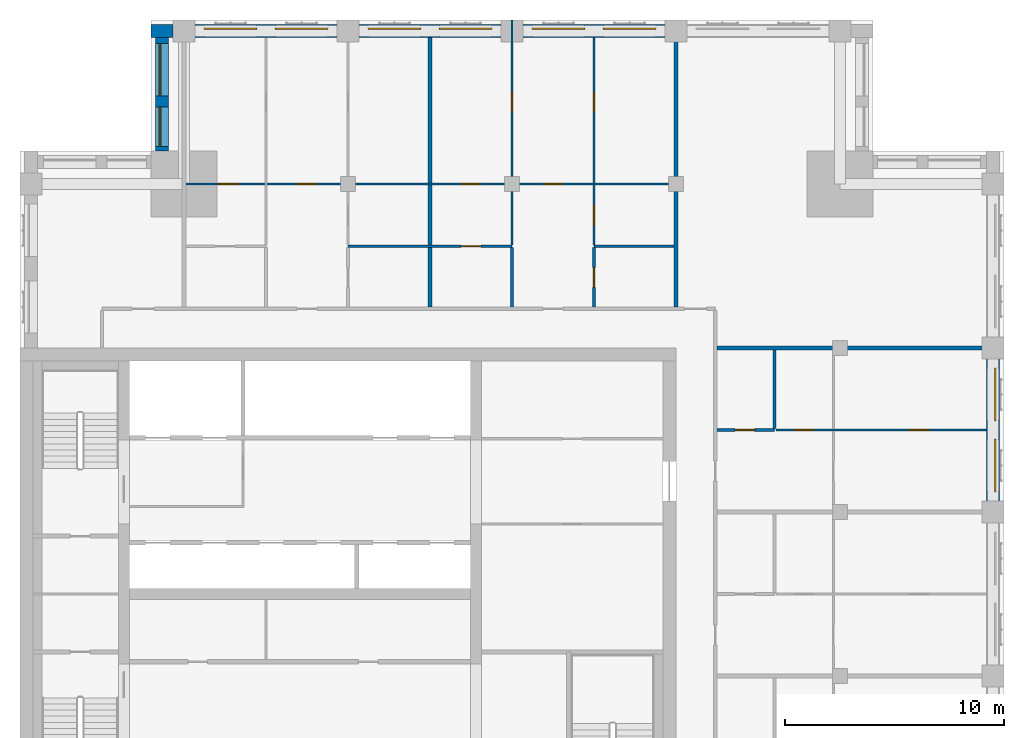
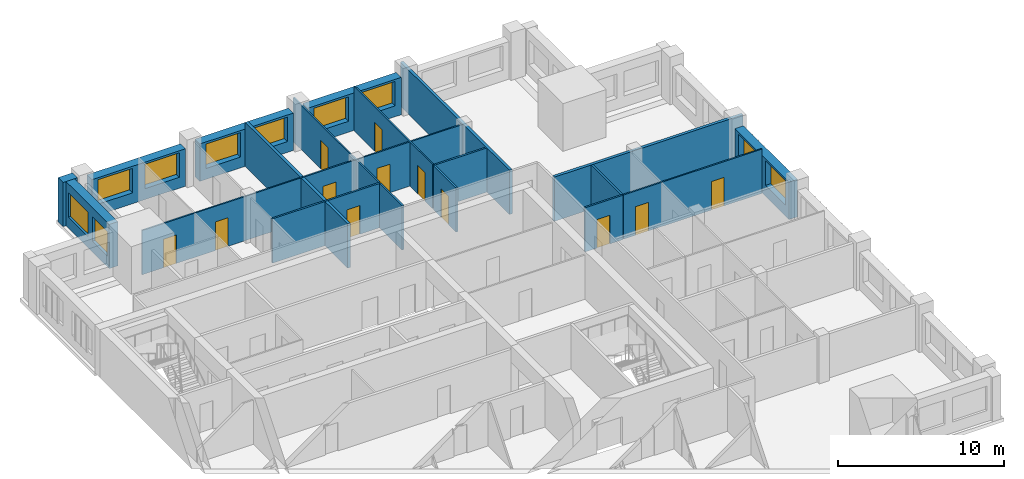
# One storey, part 7 of 10: 19 walls, 12 doors, 10 windows, 22 openings.
"""IFC4 building model written with IfcOpenShell, lengths in metres."""

from ifc_helpers import new_model, si_unit, direction, frame, frame_2d, origin, place, context, subcontext, project, spatial, rectangle, extrude, material, layer, layer_set, type_object, element, fill, save


model = new_model("IFC4")

# Units and contexts
model_context = context("Model", 3, precision=1e-05, world=origin(), true_north=direction((0.0, 1.0)))
body_context = subcontext(model_context, "Body", "Model", "MODEL_VIEW")
ifc_project = project(units=[si_unit("LENGTHUNIT", "METRE"), si_unit("AREAUNIT", "SQUARE_METRE"), si_unit("VOLUMEUNIT", "CUBIC_METRE"), si_unit("PLANEANGLEUNIT", "RADIAN"), si_unit("MASSUNIT", "GRAM", prefix="KILO")], contexts=[model_context])

# Site, building, storey
site_placement = place(None, origin())
site = spatial("IfcSite", under=ifc_project, at=site_placement, CompositionType="ELEMENT")
building_placement = place(site_placement, origin())
building = spatial("IfcBuilding", under=site, at=building_placement, Name="Tamorin Gate", CompositionType="ELEMENT")
storey_placement = place(building_placement, frame((0.0, 0.0, 276.699951171875)))
storey = spatial("IfcBuildingStorey", under=building, at=storey_placement, Name="L69", CompositionType="ELEMENT", Elevation=276.699951171875)

# Wall, openings, windows
ifc_material_1 = material(Name="Precast concrete C40/50", Category="concrete")
ifc_layer_1 = layer(ifc_material_1, 0.60009765625)
ifc_layer_set_1 = layer_set([ifc_layer_1], Name="Precast concrete C40/50")
wall_type_1 = type_object("IfcWallType", Name="Board-marked concrete facade panel 600", PredefinedType="SOLIDWALL", material=ifc_layer_set_1)
wall_1_placement = place(storey_placement, frame((74.5, 75.5, 0.0), z_axis=(0.0, 0.0, 1.0), x_axis=(0.0, 1.0, 0.0)))
wall_1 = element("IfcWall", 1, at=wall_1_placement, inside=storey, type_object=wall_type_1, Name="Facade panel", PredefinedType="SOLIDWALL", context=body_context, shape_type="SweptSolid", body=[
    extrude(rectangle(XDim=6.5, YDim=0.60009765625, at=frame_2d((3.25, 0.0))), origin(), (0.0, 0.0, 1.0), 2.75),
])
opening_1_placement = place(wall_1_placement, frame((0.425048828125, 0.0, 0.800048828125)))
opening_1 = element("IfcOpeningElement", 2, at=opening_1_placement, cuts=wall_1, Name="Opening WN1", PredefinedType="OPENING", context=body_context, shape_type="SweptSolid", body=[
    extrude(rectangle(XDim=2.39990234375, YDim=1.800048828125, at=frame_2d((1.199951171875, 0.89990234375))), frame((0.0, 0.31005859375, 0.0), z_axis=(0.0, -1.0, 0.0), x_axis=(1.0, 0.0, 0.0)), (0.0, 0.0, 1.0), 0.6201171875),
])
opening_2_placement = place(wall_1_placement, frame((3.675048828125, 0.0, 0.800048828125)))
opening_2 = element("IfcOpeningElement", 3, at=opening_2_placement, cuts=wall_1, Name="Opening WN1", PredefinedType="OPENING", context=body_context, shape_type="SweptSolid", body=[
    extrude(rectangle(XDim=2.39990234375, YDim=1.800048828125, at=frame_2d((1.199951171875, 0.89990234375))), frame((0.0, 0.31005859375, 0.0), z_axis=(0.0, -1.0, 0.0), x_axis=(1.0, 0.0, 0.0)), (0.0, 0.0, 1.0), 0.6201171875),
])
ifc_material_2 = material(Name="Clear glass in aluminium frame", Category="aluminium")
window_type_1 = type_object("IfcWindowType", Name="Deep-set window 2400x1800", PartitioningType="SINGLE_PANEL", PredefinedType="WINDOW", material=ifc_material_2)
window_1_placement = place(opening_1_placement, origin())
window_1 = element("IfcWindow", 4, at=window_1_placement, inside=storey, type_object=window_type_1, Name="Deep-set window", OverallHeight=1.800048828125, OverallWidth=2.39990234375, PartitioningType="SINGLE_PANEL", PredefinedType="WINDOW", context=body_context, shape_type="SweptSolid", body=[
    extrude(rectangle(XDim=2.39990234375, YDim=1.800048828125, at=frame_2d((1.199951171875, 0.89990234375))), frame((0.0, -0.070068359375, 0.0), z_axis=(0.0, -1.0, 0.0), x_axis=(1.0, 0.0, 0.0)), (0.0, 0.0, 1.0), 0.06005859375),
])
fill(opening_1, window_1)
window_2_placement = place(opening_2_placement, origin())
window_2 = element("IfcWindow", 5, at=window_2_placement, inside=storey, type_object=window_type_1, Name="Deep-set window", OverallHeight=1.800048828125, OverallWidth=2.39990234375, PartitioningType="SINGLE_PANEL", PredefinedType="WINDOW", context=body_context, shape_type="SweptSolid", body=[
    extrude(rectangle(XDim=2.39990234375, YDim=1.800048828125, at=frame_2d((1.199951171875, 0.89990234375))), frame((0.0, -0.070068359375, 0.0), z_axis=(0.0, -1.0, 0.0), x_axis=(1.0, 0.0, 0.0)), (0.0, 0.0, 1.0), 0.06005859375),
])
fill(opening_2, window_2)

wall_2_placement = place(storey_placement, frame((59.5, 97.0, 0.0), z_axis=(0.0, 0.0, 1.0), x_axis=(-1.0, 0.0, 0.0)))
wall_2 = element("IfcWall", 6, at=wall_2_placement, inside=storey, type_object=wall_type_1, Name="Facade panel", PredefinedType="SOLIDWALL", context=body_context, shape_type="SweptSolid", body=[
    extrude(rectangle(XDim=6.5, YDim=0.60009765625, at=frame_2d((3.25, 0.0))), origin(), (0.0, 0.0, 1.0), 2.75),
])
opening_3_placement = place(wall_2_placement, frame((3.675048828125, 0.0, 0.800048828125)))
opening_3 = element("IfcOpeningElement", 7, at=opening_3_placement, cuts=wall_2, Name="Opening WN1", PredefinedType="OPENING", context=body_context, shape_type="SweptSolid", body=[
    extrude(rectangle(XDim=2.39990234375, YDim=1.800048828125, at=frame_2d((1.199951171875, 0.89990234375))), frame((0.0, 0.31005859375, 0.0), z_axis=(0.0, -1.0, 0.0), x_axis=(1.0, 0.0, 0.0)), (0.0, 0.0, 1.0), 0.6201171875),
])
opening_4_placement = place(wall_2_placement, frame((0.425048828125, 0.0, 0.800048828125)))
opening_4 = element("IfcOpeningElement", 8, at=opening_4_placement, cuts=wall_2, Name="Opening WN1", PredefinedType="OPENING", context=body_context, shape_type="SweptSolid", body=[
    extrude(rectangle(XDim=2.39990234375, YDim=1.800048828125, at=frame_2d((1.199951171875, 0.89990234375))), frame((0.0, 0.31005859375, 0.0), z_axis=(0.0, -1.0, 0.0), x_axis=(1.0, 0.0, 0.0)), (0.0, 0.0, 1.0), 0.6201171875),
])
window_3_placement = place(opening_3_placement, origin())
window_3 = element("IfcWindow", 9, at=window_3_placement, inside=storey, type_object=window_type_1, Name="Deep-set window", OverallHeight=1.800048828125, OverallWidth=2.39990234375, PartitioningType="SINGLE_PANEL", PredefinedType="WINDOW", context=body_context, shape_type="SweptSolid", body=[
    extrude(rectangle(XDim=2.39990234375, YDim=1.800048828125, at=frame_2d((1.199951171875, 0.89990234375))), frame((0.0, -0.070068359375, 0.0), z_axis=(0.0, -1.0, 0.0), x_axis=(1.0, 0.0, 0.0)), (0.0, 0.0, 1.0), 0.06005859375),
])
fill(opening_3, window_3)
window_4_placement = place(opening_4_placement, origin())
window_4 = element("IfcWindow", 10, at=window_4_placement, inside=storey, type_object=window_type_1, Name="Deep-set window", OverallHeight=1.800048828125, OverallWidth=2.39990234375, PartitioningType="SINGLE_PANEL", PredefinedType="WINDOW", context=body_context, shape_type="SweptSolid", body=[
    extrude(rectangle(XDim=2.39990234375, YDim=1.800048828125, at=frame_2d((1.199951171875, 0.89990234375))), frame((0.0, -0.070068359375, 0.0), z_axis=(0.0, -1.0, 0.0), x_axis=(1.0, 0.0, 0.0)), (0.0, 0.0, 1.0), 0.06005859375),
])
fill(opening_4, window_4)

wall_3_placement = place(storey_placement, frame((52.0, 97.0, 0.0), z_axis=(0.0, 0.0, 1.0), x_axis=(-1.0, 0.0, 0.0)))
wall_3 = element("IfcWall", 11, at=wall_3_placement, inside=storey, type_object=wall_type_1, Name="Facade panel", PredefinedType="SOLIDWALL", context=body_context, shape_type="SweptSolid", body=[
    extrude(rectangle(XDim=6.5, YDim=0.60009765625, at=frame_2d((3.25, 0.0))), origin(), (0.0, 0.0, 1.0), 2.75),
])
opening_5_placement = place(wall_3_placement, frame((3.675048828125, 0.0, 0.800048828125)))
opening_5 = element("IfcOpeningElement", 12, at=opening_5_placement, cuts=wall_3, Name="Opening WN1", PredefinedType="OPENING", context=body_context, shape_type="SweptSolid", body=[
    extrude(rectangle(XDim=2.39990234375, YDim=1.800048828125, at=frame_2d((1.199951171875, 0.89990234375))), frame((0.0, 0.31005859375, 0.0), z_axis=(0.0, -1.0, 0.0), x_axis=(1.0, 0.0, 0.0)), (0.0, 0.0, 1.0), 0.6201171875),
])
opening_6_placement = place(wall_3_placement, frame((0.425048828125, 0.0, 0.800048828125)))
opening_6 = element("IfcOpeningElement", 13, at=opening_6_placement, cuts=wall_3, Name="Opening WN1", PredefinedType="OPENING", context=body_context, shape_type="SweptSolid", body=[
    extrude(rectangle(XDim=2.39990234375, YDim=1.800048828125, at=frame_2d((1.199951171875, 0.89990234375))), frame((0.0, 0.31005859375, 0.0), z_axis=(0.0, -1.0, 0.0), x_axis=(1.0, 0.0, 0.0)), (0.0, 0.0, 1.0), 0.6201171875),
])
window_5_placement = place(opening_5_placement, origin())
window_5 = element("IfcWindow", 14, at=window_5_placement, inside=storey, type_object=window_type_1, Name="Deep-set window", OverallHeight=1.800048828125, OverallWidth=2.39990234375, PartitioningType="SINGLE_PANEL", PredefinedType="WINDOW", context=body_context, shape_type="SweptSolid", body=[
    extrude(rectangle(XDim=2.39990234375, YDim=1.800048828125, at=frame_2d((1.199951171875, 0.89990234375))), frame((0.0, -0.070068359375, 0.0), z_axis=(0.0, -1.0, 0.0), x_axis=(1.0, 0.0, 0.0)), (0.0, 0.0, 1.0), 0.06005859375),
])
fill(opening_5, window_5)
window_6_placement = place(opening_6_placement, origin())
window_6 = element("IfcWindow", 15, at=window_6_placement, inside=storey, type_object=window_type_1, Name="Deep-set window", OverallHeight=1.800048828125, OverallWidth=2.39990234375, PartitioningType="SINGLE_PANEL", PredefinedType="WINDOW", context=body_context, shape_type="SweptSolid", body=[
    extrude(rectangle(XDim=2.39990234375, YDim=1.800048828125, at=frame_2d((1.199951171875, 0.89990234375))), frame((0.0, -0.070068359375, 0.0), z_axis=(0.0, -1.0, 0.0), x_axis=(1.0, 0.0, 0.0)), (0.0, 0.0, 1.0), 0.06005859375),
])
fill(opening_6, window_6)

wall_4_placement = place(storey_placement, frame((44.5, 97.0, 0.0), z_axis=(0.0, 0.0, 1.0), x_axis=(-1.0, 0.0, 0.0)))
wall_4 = element("IfcWall", 16, at=wall_4_placement, inside=storey, type_object=wall_type_1, Name="Facade panel", PredefinedType="SOLIDWALL", context=body_context, shape_type="SweptSolid", body=[
    extrude(rectangle(XDim=6.5, YDim=0.60009765625, at=frame_2d((3.25, 0.0))), origin(), (0.0, 0.0, 1.0), 2.75),
])
opening_7_placement = place(wall_4_placement, frame((3.675048828125, 0.0, 0.800048828125)))
opening_7 = element("IfcOpeningElement", 17, at=opening_7_placement, cuts=wall_4, Name="Opening WN1", PredefinedType="OPENING", context=body_context, shape_type="SweptSolid", body=[
    extrude(rectangle(XDim=2.39990234375, YDim=1.800048828125, at=frame_2d((1.199951171875, 0.89990234375))), frame((0.0, 0.31005859375, 0.0), z_axis=(0.0, -1.0, 0.0), x_axis=(1.0, 0.0, 0.0)), (0.0, 0.0, 1.0), 0.6201171875),
])
opening_8_placement = place(wall_4_placement, frame((0.425048828125, 0.0, 0.800048828125)))
opening_8 = element("IfcOpeningElement", 18, at=opening_8_placement, cuts=wall_4, Name="Opening WN1", PredefinedType="OPENING", context=body_context, shape_type="SweptSolid", body=[
    extrude(rectangle(XDim=2.39990234375, YDim=1.800048828125, at=frame_2d((1.199951171875, 0.89990234375))), frame((0.0, 0.31005859375, 0.0), z_axis=(0.0, -1.0, 0.0), x_axis=(1.0, 0.0, 0.0)), (0.0, 0.0, 1.0), 0.6201171875),
])
window_7_placement = place(opening_7_placement, origin())
window_7 = element("IfcWindow", 19, at=window_7_placement, inside=storey, type_object=window_type_1, Name="Deep-set window", OverallHeight=1.800048828125, OverallWidth=2.39990234375, PartitioningType="SINGLE_PANEL", PredefinedType="WINDOW", context=body_context, shape_type="SweptSolid", body=[
    extrude(rectangle(XDim=2.39990234375, YDim=1.800048828125, at=frame_2d((1.199951171875, 0.89990234375))), frame((0.0, -0.070068359375, 0.0), z_axis=(0.0, -1.0, 0.0), x_axis=(1.0, 0.0, 0.0)), (0.0, 0.0, 1.0), 0.06005859375),
])
fill(opening_7, window_7)
window_8_placement = place(opening_8_placement, origin())
window_8 = element("IfcWindow", 20, at=window_8_placement, inside=storey, type_object=window_type_1, Name="Deep-set window", OverallHeight=1.800048828125, OverallWidth=2.39990234375, PartitioningType="SINGLE_PANEL", PredefinedType="WINDOW", context=body_context, shape_type="SweptSolid", body=[
    extrude(rectangle(XDim=2.39990234375, YDim=1.800048828125, at=frame_2d((1.199951171875, 0.89990234375))), frame((0.0, -0.070068359375, 0.0), z_axis=(0.0, -1.0, 0.0), x_axis=(1.0, 0.0, 0.0)), (0.0, 0.0, 1.0), 0.06005859375),
])
fill(opening_8, window_8)

# Wall
wall_5_placement = place(storey_placement, frame((37.0, 97.0, 0.0), z_axis=(0.0, 0.0, 1.0), x_axis=(-1.0, 0.0, 0.0)))
element("IfcWall", 21, at=wall_5_placement, inside=storey, type_object=wall_type_1, Name="Facade panel", PredefinedType="SOLIDWALL", context=body_context, shape_type="SweptSolid", body=[
    extrude(rectangle(XDim=1.0, YDim=0.60009765625, at=frame_2d((0.5, 0.0))), origin(), (0.0, 0.0, 1.0), 3.25),
])

# Wall, openings, windows
wall_6_placement = place(storey_placement, frame((36.5, 96.699951171875, 0.0), z_axis=(0.0, 0.0, 1.0), x_axis=(0.0, -1.0, 0.0)))
wall_6 = element("IfcWall", 22, at=wall_6_placement, inside=storey, type_object=wall_type_1, Name="Facade panel", PredefinedType="SOLIDWALL", context=body_context, shape_type="SweptSolid", body=[
    extrude(rectangle(XDim=5.199951171875, YDim=0.60009765625, at=frame_2d((2.60009765625, 0.0))), origin(), (0.0, 0.0, 1.0), 3.25),
])
opening_9_placement = place(wall_6_placement, frame((3.175048828125, 0.0, 0.800048828125)))
opening_9 = element("IfcOpeningElement", 23, at=opening_9_placement, cuts=wall_6, Name="Opening WN2", PredefinedType="OPENING", context=body_context, shape_type="SweptSolid", body=[
    extrude(rectangle(XDim=1.800048828125, YDim=1.800048828125, at=frame_2d((0.89990234375, 0.89990234375))), frame((0.0, 0.31005859375, 0.0), z_axis=(0.0, -1.0, 0.0), x_axis=(1.0, 0.0, 0.0)), (0.0, 0.0, 1.0), 0.6201171875),
])
opening_10_placement = place(wall_6_placement, frame((0.27490234375, 0.0, 0.800048828125)))
opening_10 = element("IfcOpeningElement", 24, at=opening_10_placement, cuts=wall_6, Name="Opening WN1", PredefinedType="OPENING", context=body_context, shape_type="SweptSolid", body=[
    extrude(rectangle(XDim=2.39990234375, YDim=1.800048828125, at=frame_2d((1.199951171875, 0.89990234375))), frame((0.0, 0.31005859375, 0.0), z_axis=(0.0, -1.0, 0.0), x_axis=(1.0, 0.0, 0.0)), (0.0, 0.0, 1.0), 0.6201171875),
])
window_type_2 = type_object("IfcWindowType", Name="Deep-set window 1800x1800", PartitioningType="SINGLE_PANEL", PredefinedType="WINDOW", material=ifc_material_2)
window_9_placement = place(opening_9_placement, origin())
window_9 = element("IfcWindow", 25, at=window_9_placement, inside=storey, type_object=window_type_2, Name="Deep-set window", OverallHeight=1.800048828125, OverallWidth=1.800048828125, PartitioningType="SINGLE_PANEL", PredefinedType="WINDOW", context=body_context, shape_type="SweptSolid", body=[
    extrude(rectangle(XDim=1.800048828125, YDim=1.800048828125, at=frame_2d((0.89990234375, 0.89990234375))), frame((0.0, -0.070068359375, 0.0), z_axis=(0.0, -1.0, 0.0), x_axis=(1.0, 0.0, 0.0)), (0.0, 0.0, 1.0), 0.06005859375),
])
fill(opening_9, window_9)
window_10_placement = place(opening_10_placement, origin())
window_10 = element("IfcWindow", 26, at=window_10_placement, inside=storey, type_object=window_type_1, Name="Deep-set window", OverallHeight=1.800048828125, OverallWidth=2.39990234375, PartitioningType="SINGLE_PANEL", PredefinedType="WINDOW", context=body_context, shape_type="SweptSolid", body=[
    extrude(rectangle(XDim=2.39990234375, YDim=1.800048828125, at=frame_2d((1.199951171875, 0.89990234375))), frame((0.0, -0.070068359375, 0.0), z_axis=(0.0, -1.0, 0.0), x_axis=(1.0, 0.0, 0.0)), (0.0, 0.0, 1.0), 0.06005859375),
])
fill(opening_10, window_10)

# Walls
ifc_material_3 = material(Name="Gypsum board partition")
ifc_layer_2 = layer(ifc_material_3, 0.199951171875)
ifc_layer_set_2 = layer_set([ifc_layer_2], Name="Demising wall 200")
wall_type_2 = type_object("IfcWallType", Name="Demising wall 200", PredefinedType="PARTITIONING", material=ifc_layer_set_2)
wall_7_placement = place(storey_placement, frame((61.875, 82.5, 0.0), z_axis=(0.0, 0.0, 1.0), x_axis=(1.0, 0.0, 0.0)))
element("IfcWall", 27, at=wall_7_placement, inside=storey, type_object=wall_type_2, Name="Demising wall 200", PredefinedType="PARTITIONING", context=body_context, shape_type="SweptSolid", body=[
    extrude(rectangle(XDim=13.125, YDim=0.199951171875, at=frame_2d((6.5625, 0.0))), origin(), (0.0, 0.0, 1.0), 3.25),
])
wall_8_placement = place(storey_placement, frame((48.75, 84.375, 0.0), z_axis=(0.0, 0.0, 1.0), x_axis=(0.0, 1.0, 0.0)))
element("IfcWall", 28, at=wall_8_placement, inside=storey, type_object=wall_type_2, Name="Demising wall 200", PredefinedType="PARTITIONING", context=body_context, shape_type="SweptSolid", body=[
    extrude(rectangle(XDim=12.31494140625, YDim=0.199951171875, at=frame_2d((6.157470703125, 0.0))), origin(), (0.0, 0.0, 1.0), 3.25),
])
wall_9_placement = place(storey_placement, frame((60.0, 84.375, 0.0), z_axis=(0.0, 0.0, 1.0), x_axis=(0.0, 1.0, 0.0)))
element("IfcWall", 29, at=wall_9_placement, inside=storey, type_object=wall_type_2, Name="Demising wall 200", PredefinedType="PARTITIONING", context=body_context, shape_type="SweptSolid", body=[
    extrude(rectangle(XDim=13.125, YDim=0.199951171875, at=frame_2d((6.5625, 0.0))), origin(), (0.0, 0.0, 1.0), 3.25),
])

# Wall, openings, doors
ifc_layer_3 = layer(ifc_material_3, 0.10009765625)
ifc_layer_set_3 = layer_set([ifc_layer_3], Name="Room partition 100")
wall_type_3 = type_object("IfcWallType", Name="Room partition 100", PredefinedType="PARTITIONING", material=ifc_layer_set_3)
wall_10_placement = place(storey_placement, frame((64.5625, 78.75, 0.0), z_axis=(0.0, 0.0, 1.0), x_axis=(1.0, 0.0, 0.0)))
wall_10 = element("IfcWall", 30, at=wall_10_placement, inside=storey, type_object=wall_type_3, Name="Room partition 100", PredefinedType="PARTITIONING", context=body_context, shape_type="SweptSolid", body=[
    extrude(rectangle(XDim=9.62744140625, YDim=0.10009765625, at=frame_2d((4.813720703125, 0.0))), origin(), (0.0, 0.0, 1.0), 3.25),
])
opening_11_placement = place(wall_10_placement, frame((0.83740234375, 0.0, 0.0)))
opening_11 = element("IfcOpeningElement", 31, at=opening_11_placement, cuts=wall_10, Name="Opening DR11046", PredefinedType="OPENING", context=body_context, shape_type="SweptSolid", body=[
    extrude(rectangle(XDim=0.89990234375, YDim=2.10009765625, at=frame_2d((0.449951171875, 1.050048828125))), frame((0.0, 0.06005859375, 0.0), z_axis=(0.0, -1.0, 0.0), x_axis=(1.0, 0.0, 0.0)), (0.0, 0.0, 1.0), 0.1201171875),
])
opening_12_placement = place(wall_10_placement, frame((6.08740234375, 0.0, 0.0)))
opening_12 = element("IfcOpeningElement", 32, at=opening_12_placement, cuts=wall_10, Name="Opening DR11048", PredefinedType="OPENING", context=body_context, shape_type="SweptSolid", body=[
    extrude(rectangle(XDim=0.89990234375, YDim=2.10009765625, at=frame_2d((0.449951171875, 1.050048828125))), frame((0.0, 0.06005859375, 0.0), z_axis=(0.0, -1.0, 0.0), x_axis=(1.0, 0.0, 0.0)), (0.0, 0.0, 1.0), 0.1201171875),
])
ifc_material_4 = material(Name="Timber door leaf", Category="wood")
door_type = type_object("IfcDoorType", Name="Door 900 x 2100", OperationType="NOTDEFINED", PredefinedType="DOOR", material=ifc_material_4)
door_1_placement = place(opening_11_placement, origin())
door_1 = element("IfcDoor", 33, at=door_1_placement, inside=storey, type_object=door_type, Name="Door DR11046", OperationType="SINGLE_SWING_LEFT", OverallHeight=2.10009765625, OverallWidth=0.89990234375, PredefinedType="DOOR", context=body_context, shape_type="SweptSolid", body=[
    extrude(rectangle(XDim=0.89990234375, YDim=2.10009765625, at=frame_2d((0.449951171875, 1.050048828125))), frame((0.0, 0.02490234375, 0.0), z_axis=(0.0, -1.0, 0.0), x_axis=(1.0, 0.0, 0.0)), (0.0, 0.0, 1.0), 0.050048828125),
])
fill(opening_11, door_1)
door_2_placement = place(opening_12_placement, origin())
door_2 = element("IfcDoor", 34, at=door_2_placement, inside=storey, type_object=door_type, Name="Door DR11048", OperationType="SINGLE_SWING_RIGHT", OverallHeight=2.10009765625, OverallWidth=0.89990234375, PredefinedType="DOOR", context=body_context, shape_type="SweptSolid", body=[
    extrude(rectangle(XDim=0.89990234375, YDim=2.10009765625, at=frame_2d((0.449951171875, 1.050048828125))), frame((0.0, 0.02490234375, 0.0), z_axis=(0.0, -1.0, 0.0), x_axis=(1.0, 0.0, 0.0)), (0.0, 0.0, 1.0), 0.050048828125),
])
fill(opening_12, door_2)

wall_11_placement = place(storey_placement, frame((37.60009765625, 90.0, 0.0), z_axis=(0.0, 0.0, 1.0), x_axis=(1.0, 0.0, 0.0)))
wall_11 = element("IfcWall", 35, at=wall_11_placement, inside=storey, type_object=wall_type_3, Name="Room partition 100", PredefinedType="PARTITIONING", context=body_context, shape_type="SweptSolid", body=[
    extrude(rectangle(XDim=22.2998046875, YDim=0.10009765625, at=frame_2d((11.14990234375, 0.0))), origin(), (0.0, 0.0, 1.0), 3.25),
])
opening_13_placement = place(wall_11_placement, frame((1.47509765625, 0.0, 0.0)))
opening_13 = element("IfcOpeningElement", 36, at=opening_13_placement, cuts=wall_11, Name="Opening DR11018", PredefinedType="OPENING", context=body_context, shape_type="SweptSolid", body=[
    extrude(rectangle(XDim=0.89990234375, YDim=2.10009765625, at=frame_2d((0.449951171875, 1.050048828125))), frame((0.0, 0.06005859375, 0.0), z_axis=(0.0, -1.0, 0.0), x_axis=(1.0, 0.0, 0.0)), (0.0, 0.0, 1.0), 0.1201171875),
])
opening_14_placement = place(wall_11_placement, frame((5.074951171875, 0.0, 0.0)))
opening_14 = element("IfcOpeningElement", 37, at=opening_14_placement, cuts=wall_11, Name="Opening DR11021", PredefinedType="OPENING", context=body_context, shape_type="SweptSolid", body=[
    extrude(rectangle(XDim=0.89990234375, YDim=2.10009765625, at=frame_2d((0.449951171875, 1.050048828125))), frame((0.0, 0.06005859375, 0.0), z_axis=(0.0, -1.0, 0.0), x_axis=(1.0, 0.0, 0.0)), (0.0, 0.0, 1.0), 0.1201171875),
])
opening_15_placement = place(wall_11_placement, frame((12.574951171875, 0.0, 0.0)))
opening_15 = element("IfcOpeningElement", 38, at=opening_15_placement, cuts=wall_11, Name="Opening DR11026", PredefinedType="OPENING", context=body_context, shape_type="SweptSolid", body=[
    extrude(rectangle(XDim=0.89990234375, YDim=2.10009765625, at=frame_2d((0.449951171875, 1.050048828125))), frame((0.0, 0.06005859375, 0.0), z_axis=(0.0, -1.0, 0.0), x_axis=(1.0, 0.0, 0.0)), (0.0, 0.0, 1.0), 0.1201171875),
])
opening_16_placement = place(wall_11_placement, frame((16.324951171875, 0.0, 0.0)))
opening_16 = element("IfcOpeningElement", 39, at=opening_16_placement, cuts=wall_11, Name="Opening DR11029", PredefinedType="OPENING", context=body_context, shape_type="SweptSolid", body=[
    extrude(rectangle(XDim=0.89990234375, YDim=2.10009765625, at=frame_2d((0.449951171875, 1.050048828125))), frame((0.0, 0.06005859375, 0.0), z_axis=(0.0, -1.0, 0.0), x_axis=(1.0, 0.0, 0.0)), (0.0, 0.0, 1.0), 0.1201171875),
])
door_3_placement = place(opening_13_placement, origin())
door_3 = element("IfcDoor", 40, at=door_3_placement, inside=storey, type_object=door_type, Name="Door DR11018", OperationType="SINGLE_SWING_LEFT", OverallHeight=2.10009765625, OverallWidth=0.89990234375, PredefinedType="DOOR", context=body_context, shape_type="SweptSolid", body=[
    extrude(rectangle(XDim=0.89990234375, YDim=2.10009765625, at=frame_2d((0.449951171875, 1.050048828125))), frame((0.0, 0.02490234375, 0.0), z_axis=(0.0, -1.0, 0.0), x_axis=(1.0, 0.0, 0.0)), (0.0, 0.0, 1.0), 0.050048828125),
])
fill(opening_13, door_3)
door_4_placement = place(opening_14_placement, origin())
door_4 = element("IfcDoor", 41, at=door_4_placement, inside=storey, type_object=door_type, Name="Door DR11021", OperationType="SINGLE_SWING_RIGHT", OverallHeight=2.10009765625, OverallWidth=0.89990234375, PredefinedType="DOOR", context=body_context, shape_type="SweptSolid", body=[
    extrude(rectangle(XDim=0.89990234375, YDim=2.10009765625, at=frame_2d((0.449951171875, 1.050048828125))), frame((0.0, 0.02490234375, 0.0), z_axis=(0.0, -1.0, 0.0), x_axis=(1.0, 0.0, 0.0)), (0.0, 0.0, 1.0), 0.050048828125),
])
fill(opening_14, door_4)
door_5_placement = place(opening_15_placement, origin())
door_5 = element("IfcDoor", 42, at=door_5_placement, inside=storey, type_object=door_type, Name="Door DR11026", OperationType="SINGLE_SWING_RIGHT", OverallHeight=2.10009765625, OverallWidth=0.89990234375, PredefinedType="DOOR", context=body_context, shape_type="SweptSolid", body=[
    extrude(rectangle(XDim=0.89990234375, YDim=2.10009765625, at=frame_2d((0.449951171875, 1.050048828125))), frame((0.0, 0.02490234375, 0.0), z_axis=(0.0, -1.0, 0.0), x_axis=(1.0, 0.0, 0.0)), (0.0, 0.0, 1.0), 0.050048828125),
])
fill(opening_15, door_5)
door_6_placement = place(opening_16_placement, origin())
door_6 = element("IfcDoor", 43, at=door_6_placement, inside=storey, type_object=door_type, Name="Door DR11029", OperationType="SINGLE_SWING_RIGHT", OverallHeight=2.10009765625, OverallWidth=0.89990234375, PredefinedType="DOOR", context=body_context, shape_type="SweptSolid", body=[
    extrude(rectangle(XDim=0.89990234375, YDim=2.10009765625, at=frame_2d((0.449951171875, 1.050048828125))), frame((0.0, 0.02490234375, 0.0), z_axis=(0.0, -1.0, 0.0), x_axis=(1.0, 0.0, 0.0)), (0.0, 0.0, 1.0), 0.050048828125),
])
fill(opening_16, door_6)

# Wall, opening, door
wall_12_placement = place(storey_placement, frame((52.5, 87.21240234375, 0.0), z_axis=(0.0, 0.0, 1.0), x_axis=(0.0, 1.0, 0.0)))
wall_12 = element("IfcWall", 44, at=wall_12_placement, inside=storey, type_object=wall_type_3, Name="Room partition 100", PredefinedType="PARTITIONING", context=body_context, shape_type="SweptSolid", body=[
    extrude(rectangle(XDim=10.28759765625, YDim=0.10009765625, at=frame_2d((5.143798828125, 0.0))), origin(), (0.0, 0.0, 1.0), 3.25),
])
opening_17_placement = place(wall_12_placement, frame((6.08740234375, 0.0, 0.0)))
opening_17 = element("IfcOpeningElement", 45, at=opening_17_placement, cuts=wall_12, Name="Opening DR11032", PredefinedType="OPENING", context=body_context, shape_type="SweptSolid", body=[
    extrude(rectangle(XDim=0.89990234375, YDim=2.10009765625, at=frame_2d((0.449951171875, 1.050048828125))), frame((0.0, 0.06005859375, 0.0), z_axis=(0.0, -1.0, 0.0), x_axis=(1.0, 0.0, 0.0)), (0.0, 0.0, 1.0), 0.1201171875),
])
door_7_placement = place(opening_17_placement, origin())
door_7 = element("IfcDoor", 46, at=door_7_placement, inside=storey, type_object=door_type, Name="Door DR11032", OperationType="SINGLE_SWING_LEFT", OverallHeight=2.10009765625, OverallWidth=0.89990234375, PredefinedType="DOOR", context=body_context, shape_type="SweptSolid", body=[
    extrude(rectangle(XDim=0.89990234375, YDim=2.10009765625, at=frame_2d((0.449951171875, 1.050048828125))), frame((0.0, 0.02490234375, 0.0), z_axis=(0.0, -1.0, 0.0), x_axis=(1.0, 0.0, 0.0)), (0.0, 0.0, 1.0), 0.050048828125),
])
fill(opening_17, door_7)

# Wall, openings, doors
wall_13_placement = place(storey_placement, frame((56.25, 87.21240234375, 0.0), z_axis=(0.0, 0.0, 1.0), x_axis=(0.0, 1.0, 0.0)))
wall_13 = element("IfcWall", 47, at=wall_13_placement, inside=storey, type_object=wall_type_3, Name="Room partition 100", PredefinedType="PARTITIONING", context=body_context, shape_type="SweptSolid", body=[
    extrude(rectangle(XDim=9.4775390625, YDim=0.10009765625, at=frame_2d((4.73876953125, 0.0))), origin(), (0.0, 0.0, 1.0), 3.25),
])
opening_18_placement = place(wall_13_placement, frame((0.91259765625, 0.0, 0.0)))
opening_18 = element("IfcOpeningElement", 48, at=opening_18_placement, cuts=wall_13, Name="Opening DR11030", PredefinedType="OPENING", context=body_context, shape_type="SweptSolid", body=[
    extrude(rectangle(XDim=0.89990234375, YDim=2.10009765625, at=frame_2d((0.449951171875, 1.050048828125))), frame((0.0, 0.06005859375, 0.0), z_axis=(0.0, -1.0, 0.0), x_axis=(1.0, 0.0, 0.0)), (0.0, 0.0, 1.0), 0.1201171875),
])
opening_19_placement = place(wall_13_placement, frame((6.08740234375, 0.0, 0.0)))
opening_19 = element("IfcOpeningElement", 49, at=opening_19_placement, cuts=wall_13, Name="Opening DR11033", PredefinedType="OPENING", context=body_context, shape_type="SweptSolid", body=[
    extrude(rectangle(XDim=0.89990234375, YDim=2.10009765625, at=frame_2d((0.449951171875, 1.050048828125))), frame((0.0, 0.06005859375, 0.0), z_axis=(0.0, -1.0, 0.0), x_axis=(1.0, 0.0, 0.0)), (0.0, 0.0, 1.0), 0.1201171875),
])
door_8_placement = place(opening_18_placement, origin())
door_8 = element("IfcDoor", 50, at=door_8_placement, inside=storey, type_object=door_type, Name="Door DR11030", OperationType="SINGLE_SWING_LEFT", OverallHeight=2.10009765625, OverallWidth=0.89990234375, PredefinedType="DOOR", context=body_context, shape_type="SweptSolid", body=[
    extrude(rectangle(XDim=0.89990234375, YDim=2.10009765625, at=frame_2d((0.449951171875, 1.050048828125))), frame((0.0, 0.02490234375, 0.0), z_axis=(0.0, -1.0, 0.0), x_axis=(1.0, 0.0, 0.0)), (0.0, 0.0, 1.0), 0.050048828125),
])
fill(opening_18, door_8)
door_9_placement = place(opening_19_placement, origin())
door_9 = element("IfcDoor", 51, at=door_9_placement, inside=storey, type_object=door_type, Name="Door DR11033", OperationType="SINGLE_SWING_LEFT", OverallHeight=2.10009765625, OverallWidth=0.89990234375, PredefinedType="DOOR", context=body_context, shape_type="SweptSolid", body=[
    extrude(rectangle(XDim=0.89990234375, YDim=2.10009765625, at=frame_2d((0.449951171875, 1.050048828125))), frame((0.0, 0.02490234375, 0.0), z_axis=(0.0, -1.0, 0.0), x_axis=(1.0, 0.0, 0.0)), (0.0, 0.0, 1.0), 0.050048828125),
])
fill(opening_19, door_9)

# Wall, opening, door
ifc_layer_4 = layer(ifc_material_3, 0.125)
ifc_layer_set_4 = layer_set([ifc_layer_4], Name="Wet wall 125")
wall_type_4 = type_object("IfcWallType", Name="Wet wall 125", PredefinedType="PARTITIONING", material=ifc_layer_set_4)
wall_14_placement = place(storey_placement, frame((61.875, 78.75, 0.0), z_axis=(0.0, 0.0, 1.0), x_axis=(1.0, 0.0, 0.0)))
wall_14 = element("IfcWall", 52, at=wall_14_placement, inside=storey, type_object=wall_type_4, Name="Wet wall 125", PredefinedType="PARTITIONING", context=body_context, shape_type="SweptSolid", body=[
    extrude(rectangle(XDim=2.625, YDim=0.125, at=frame_2d((1.3125, 0.0))), origin(), (0.0, 0.0, 1.0), 3.25),
])
opening_20_placement = place(wall_14_placement, frame((0.824951171875, 0.0, 0.0)))
opening_20 = element("IfcOpeningElement", 53, at=opening_20_placement, cuts=wall_14, Name="Opening DR11047", PredefinedType="OPENING", context=body_context, shape_type="SweptSolid", body=[
    extrude(rectangle(XDim=0.89990234375, YDim=2.10009765625, at=frame_2d((0.449951171875, 1.050048828125))), frame((0.0, 0.072509765625, 0.0), z_axis=(0.0, -1.0, 0.0), x_axis=(1.0, 0.0, 0.0)), (0.0, 0.0, 1.0), 0.14501953125),
])
door_10_placement = place(opening_20_placement, origin())
door_10 = element("IfcDoor", 54, at=door_10_placement, inside=storey, type_object=door_type, Name="Door DR11047", OperationType="SINGLE_SWING_LEFT", OverallHeight=2.10009765625, OverallWidth=0.89990234375, PredefinedType="DOOR", context=body_context, shape_type="SweptSolid", body=[
    extrude(rectangle(XDim=0.89990234375, YDim=2.10009765625, at=frame_2d((0.449951171875, 1.050048828125))), frame((0.0, 0.02490234375, 0.0), z_axis=(0.0, -1.0, 0.0), x_axis=(1.0, 0.0, 0.0)), (0.0, 0.0, 1.0), 0.050048828125),
])
fill(opening_20, door_10)

wall_15_placement = place(storey_placement, frame((45.0, 87.14990234375, 0.0), z_axis=(0.0, 0.0, 1.0), x_axis=(1.0, 0.0, 0.0)))
wall_15 = element("IfcWall", 55, at=wall_15_placement, inside=storey, type_object=wall_type_4, Name="Wet wall 125", PredefinedType="PARTITIONING", context=body_context, shape_type="SweptSolid", body=[
    extrude(rectangle(XDim=7.5, YDim=0.125, at=frame_2d((3.75, 0.0))), origin(), (0.0, 0.0, 1.0), 3.25),
])
opening_21_placement = place(wall_15_placement, frame((5.175048828125, 0.0, 0.0)))
opening_21 = element("IfcOpeningElement", 56, at=opening_21_placement, cuts=wall_15, Name="Opening DR11027", PredefinedType="OPENING", context=body_context, shape_type="SweptSolid", body=[
    extrude(rectangle(XDim=0.89990234375, YDim=2.10009765625, at=frame_2d((0.449951171875, 1.050048828125))), frame((0.0, 0.072509765625, 0.0), z_axis=(0.0, -1.0, 0.0), x_axis=(1.0, 0.0, 0.0)), (0.0, 0.0, 1.0), 0.14501953125),
])
door_11_placement = place(opening_21_placement, origin())
door_11 = element("IfcDoor", 57, at=door_11_placement, inside=storey, type_object=door_type, Name="Door DR11027", OperationType="SINGLE_SWING_RIGHT", OverallHeight=2.10009765625, OverallWidth=0.89990234375, PredefinedType="DOOR", context=body_context, shape_type="SweptSolid", body=[
    extrude(rectangle(XDim=0.89990234375, YDim=2.10009765625, at=frame_2d((0.449951171875, 1.050048828125))), frame((0.0, 0.02490234375, 0.0), z_axis=(0.0, -1.0, 0.0), x_axis=(1.0, 0.0, 0.0)), (0.0, 0.0, 1.0), 0.050048828125),
])
fill(opening_21, door_11)

# Walls
wall_16_placement = place(storey_placement, frame((56.25, 87.14990234375, 0.0), z_axis=(0.0, 0.0, 1.0), x_axis=(1.0, 0.0, 0.0)))
element("IfcWall", 58, at=wall_16_placement, inside=storey, type_object=wall_type_4, Name="Wet wall 125", PredefinedType="PARTITIONING", context=body_context, shape_type="SweptSolid", body=[
    extrude(rectangle(XDim=3.64990234375, YDim=0.125, at=frame_2d((1.824951171875, 0.0))), origin(), (0.0, 0.0, 1.0), 3.25),
])
wall_17_placement = place(storey_placement, frame((52.5, 84.375, 0.0), z_axis=(0.0, 0.0, 1.0), x_axis=(0.0, 1.0, 0.0)))
element("IfcWall", 59, at=wall_17_placement, inside=storey, type_object=wall_type_4, Name="Wet wall 125", PredefinedType="PARTITIONING", context=body_context, shape_type="SweptSolid", body=[
    extrude(rectangle(XDim=2.71240234375, YDim=0.125, at=frame_2d((1.356201171875, 0.0))), origin(), (0.0, 0.0, 1.0), 3.25),
])

# Wall, opening, door
wall_18_placement = place(storey_placement, frame((56.25, 84.375, 0.0), z_axis=(0.0, 0.0, 1.0), x_axis=(0.0, 1.0, 0.0)))
wall_18 = element("IfcWall", 60, at=wall_18_placement, inside=storey, type_object=wall_type_4, Name="Wet wall 125", PredefinedType="PARTITIONING", context=body_context, shape_type="SweptSolid", body=[
    extrude(rectangle(XDim=2.71240234375, YDim=0.125, at=frame_2d((1.356201171875, 0.0))), origin(), (0.0, 0.0, 1.0), 3.25),
])
opening_22_placement = place(wall_18_placement, frame((0.89990234375, 0.0, 0.0)))
opening_22 = element("IfcOpeningElement", 61, at=opening_22_placement, cuts=wall_18, Name="Opening DR11031", PredefinedType="OPENING", context=body_context, shape_type="SweptSolid", body=[
    extrude(rectangle(XDim=0.89990234375, YDim=2.10009765625, at=frame_2d((0.449951171875, 1.050048828125))), frame((0.0, 0.072509765625, 0.0), z_axis=(0.0, -1.0, 0.0), x_axis=(1.0, 0.0, 0.0)), (0.0, 0.0, 1.0), 0.14501953125),
])
door_12_placement = place(opening_22_placement, origin())
door_12 = element("IfcDoor", 62, at=door_12_placement, inside=storey, type_object=door_type, Name="Door DR11031", OperationType="SINGLE_SWING_RIGHT", OverallHeight=2.10009765625, OverallWidth=0.89990234375, PredefinedType="DOOR", context=body_context, shape_type="SweptSolid", body=[
    extrude(rectangle(XDim=0.89990234375, YDim=2.10009765625, at=frame_2d((0.449951171875, 1.050048828125))), frame((0.0, 0.02490234375, 0.0), z_axis=(0.0, -1.0, 0.0), x_axis=(1.0, 0.0, 0.0)), (0.0, 0.0, 1.0), 0.050048828125),
])
fill(opening_22, door_12)

# Wall
wall_19_placement = place(storey_placement, frame((64.5, 78.8125, 0.0), z_axis=(0.0, 0.0, 1.0), x_axis=(0.0, 1.0, 0.0)))
element("IfcWall", 63, at=wall_19_placement, inside=storey, type_object=wall_type_4, Name="Wet wall 125", PredefinedType="PARTITIONING", context=body_context, shape_type="SweptSolid", body=[
    extrude(rectangle(XDim=3.58740234375, YDim=0.125, at=frame_2d((1.793701171875, 0.0))), origin(), (0.0, 0.0, 1.0), 3.25),
])

save(model, "model.ifc")
